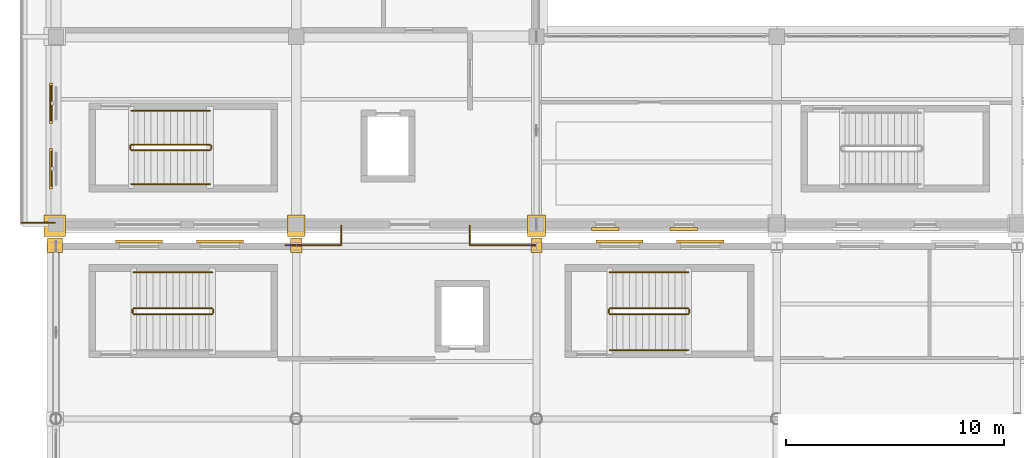
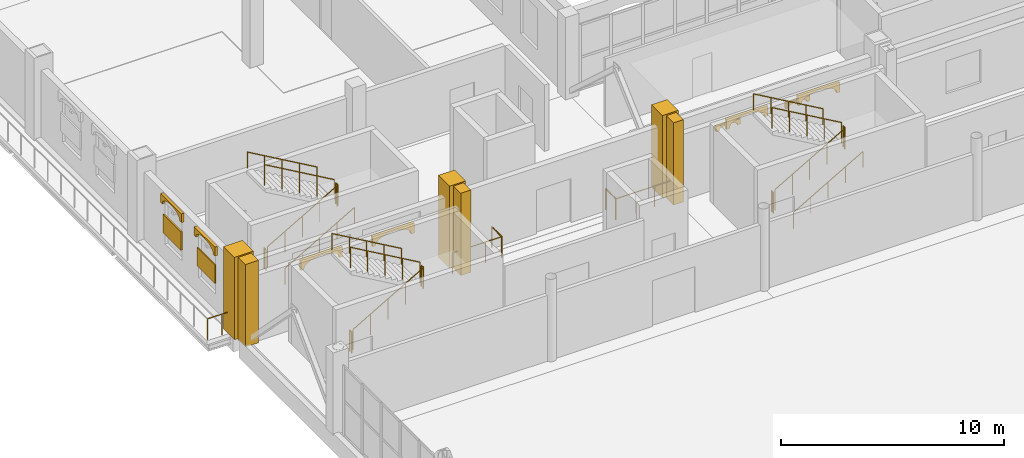
# One storey, part 136 of 156: 22 railings, 14 coverings, 2 shading devices.
"""IFC4 building model written with IfcOpenShell, lengths in metres."""

from ifc_helpers import new_model, si_unit, direction, frame, origin, origin_2d, place, context, subcontext, project, spatial, polyline, rectangle, circle, outline, extrude, material, layer, layer_set, type_object, element, save


model = new_model("IFC4")

# Units and contexts
model_context = context("Model", 3, precision=1e-05, world=origin(), true_north=direction((0.0, 1.0)))
body_context = subcontext(model_context, "Body", "Model", "MODEL_VIEW")
ifc_project = project(units=[si_unit("LENGTHUNIT", "METRE"), si_unit("AREAUNIT", "SQUARE_METRE"), si_unit("VOLUMEUNIT", "CUBIC_METRE"), si_unit("PLANEANGLEUNIT", "RADIAN"), si_unit("MASSUNIT", "GRAM", prefix="KILO")], contexts=[model_context])

# Site, building, storey
site_placement = place(None, origin())
site = spatial("IfcSite", under=ifc_project, at=site_placement, CompositionType="ELEMENT")
building_placement = place(site_placement, origin())
building = spatial("IfcBuilding", under=site, at=building_placement, Name="Caurita Quay Ferry Terminal", CompositionType="ELEMENT")
storey_placement = place(building_placement, frame((0.0, 0.0, 5.39990234375)))
storey = spatial("IfcBuildingStorey", under=building, at=storey_placement, Name="L01", CompositionType="ELEMENT", Elevation=5.39990234375)

# Coverings
ifc_material_1 = material(Name="Warm-white lime stucco masonry", Category="masonry")
ifc_layer_1 = layer(ifc_material_1, 0.179931640625, Name="Classical engaged lime-stucco facade pilaster cladding 180 mm")
ifc_layer_set_1 = layer_set([ifc_layer_1], Name="Warm-white lime stucco masonry")
covering_type_1 = type_object("IfcCoveringType", Name="COV-PIL-CLD", PredefinedType="CLADDING", material=ifc_layer_set_1)
covering_1_placement = place(storey_placement, frame((-0.050048828125, 70.64990234375, 0.0), z_axis=(0.0, 0.0, 1.0), x_axis=(1.0, 0.0, 0.0)))
element("IfcCovering", 1, at=covering_1_placement, inside=storey, type_object=covering_type_1, Name="L01 Classical Engaged Pilaster 0015", PredefinedType="CLADDING", context=body_context, shape_type="SweptSolid", body=[
    extrude(rectangle(XDim=0.673583984375, YDim=0.656005859375, at=origin_2d()), origin(), (0.0, 0.0, 1.0), 4.5),
])
for number, where, z_axis, x_axis, name in (
    (2, (11.0, 70.64990234375, 0.0), (0.0, 0.0, 1.0), (1.0, 0.0, 0.0), "L01 Classical Engaged Pilaster 0023"),
    (3, (22.0, 70.64990234375, 0.0), (0.0, 0.0, 1.0), (1.0, 0.0, 0.0), "L01 Classical Engaged Pilaster 0031"),
):
    element("IfcCovering", number, at=place(storey_placement, frame(where, z_axis=z_axis, x_axis=x_axis)), inside=storey, type_object=covering_type_1, Name=name, PredefinedType="CLADDING", context=body_context, shape_type="SweptSolid", body=[
        extrude(rectangle(XDim=0.513671875, YDim=0.656005859375, at=origin_2d()), origin(), (0.0, 0.0, 1.0), 4.5),
    ])
covering_2_placement = place(storey_placement, frame((-0.050048828125, 71.550048828125, 0.0), z_axis=(0.0, 0.0, 1.0), x_axis=(1.0, 0.0, 0.0)))
element("IfcCovering", 4, at=covering_2_placement, inside=storey, type_object=covering_type_1, Name="L01 Classical Engaged Pilaster 0267", PredefinedType="CLADDING", context=body_context, shape_type="SweptSolid", body=[
    extrude(rectangle(XDim=0.97998046875, YDim=0.97998046875, at=origin_2d()), origin(), (0.0, 0.0, 1.0), 4.5),
])
for number, where, z_axis, x_axis, name in (
    (5, (11.0, 71.550048828125, 0.0), (0.0, 0.0, 1.0), (1.0, 0.0, 0.0), "L01 Classical Engaged Pilaster 0297"),
    (6, (22.0, 71.550048828125, 0.0), (0.0, 0.0, 1.0), (1.0, 0.0, 0.0), "L01 Classical Engaged Pilaster 0307"),
):
    element("IfcCovering", number, at=place(storey_placement, frame(where, z_axis=z_axis, x_axis=x_axis)), inside=storey, type_object=covering_type_1, Name=name, PredefinedType="CLADDING", context=body_context, shape_type="SweptSolid", body=[
        extrude(rectangle(XDim=0.820068359375, YDim=0.97998046875, at=origin_2d()), origin(), (0.0, 0.0, 1.0), 4.5),
    ])
ifc_material_2 = material(Name="Coral stone ashlar cladding", Category="masonry")
ifc_layer_2 = layer(ifc_material_2, 0.139892578125, Name="Spanish Colonial semicircular arched window surround 140 mm")
ifc_layer_set_2 = layer_set([ifc_layer_2], Name="Coral stone ashlar cladding")
covering_type_2 = type_object("IfcCoveringType", Name="COV-WHD-MLD", PredefinedType="MOLDING", material=ifc_layer_set_2)
for number, where, z_axis, x_axis, name in (
    (7, (-0.22998046875, 78.080078125, 3.18017578125), (0.0, 0.0, 1.0), (0.0, -1.0, 0.0), "L01 Arched Window Surround 032"),
    (8, (-0.22998046875, 75.080078125, 3.18017578125), (0.0, 0.0, 1.0), (0.0, -1.0, 0.0), "L01 Arched Window Surround 033"),
):
    element("IfcCovering", number, at=place(storey_placement, frame(where, z_axis=z_axis, x_axis=x_axis)), inside=storey, type_object=covering_type_2, Name=name, PredefinedType="MOLDING", context=body_context, shape_type="SweptSolid", body=[
        extrude(outline(polyline([(0.0, 0.0), (0.159912109375, 0.0), (0.159912109375, 0.0400390625), (0.19775390625, 0.1513671875), (0.30712890625, 0.251708984375), (0.4775390625, 0.331298828125), (0.692138671875, 0.38232421875), (0.929931640625, 0.39990234375), (1.16796875, 0.38232421875), (1.382568359375, 0.331298828125), (1.552978515625, 0.251708984375), (1.662353515625, 0.1513671875), (1.7001953125, 0.0400390625), (1.7001953125, 0.0), (1.860107421875, 0.0), (1.860107421875, 0.47998046875), (0.0, 0.47998046875), (0.0, 0.0)])), frame((0.0, 0.06982421875, 0.0), z_axis=(0.0, -1.0, 0.0), x_axis=(1.0, 0.0, 0.0)), (0.0, 0.0, 1.0), 0.139892578125),
    ])
covering_3_placement = place(storey_placement, frame((24.52001953125, 71.385009765625, 2.43017578125), z_axis=(0.0, 0.0, 1.0), x_axis=(1.0, 0.0, 0.0)))
element("IfcCovering", 9, at=covering_3_placement, inside=storey, type_object=covering_type_2, Name="L01 Arched Window Surround 056", PredefinedType="MOLDING", context=body_context, shape_type="SweptSolid", body=[
    extrude(outline(polyline([(0.0, 0.0), (0.159912109375, 0.0), (0.159912109375, 0.0400390625), (0.18310546875, 0.091796875), (0.249755859375, 0.138671875), (0.353759765625, 0.176025390625), (0.48486328125, 0.19970703125), (0.6298828125, 0.2080078125), (0.775146484375, 0.19970703125), (0.90625, 0.176025390625), (1.01025390625, 0.138671875), (1.076904296875, 0.091796875), (1.10009765625, 0.0400390625), (1.10009765625, 0.0), (1.260009765625, 0.0), (1.260009765625, 0.287841796875), (0.0, 0.287841796875), (0.0, 0.0)])), frame((0.0, 0.06982421875, 0.0), z_axis=(0.0, -1.0, 0.0), x_axis=(1.0, 0.0, 0.0)), (0.0, 0.0, 1.0), 0.139892578125),
])
covering_4_placement = place(storey_placement, frame((28.1201171875, 71.385009765625, 2.43017578125), z_axis=(0.0, 0.0, 1.0), x_axis=(1.0, 0.0, 0.0)))
element("IfcCovering", 10, at=covering_4_placement, inside=storey, type_object=covering_type_2, Name="L01 Arched Window Surround 057", PredefinedType="MOLDING", context=body_context, shape_type="SweptSolid", body=[
    extrude(outline(polyline([(0.0, 0.0), (0.159912109375, 0.0), (0.159912109375, 0.0400390625), (0.18310546875, 0.091796875), (0.249755859375, 0.138671875), (0.353759765625, 0.176025390625), (0.484619140625, 0.19970703125), (0.6298828125, 0.2080078125), (0.775146484375, 0.19970703125), (0.906005859375, 0.176025390625), (1.010009765625, 0.138671875), (1.07666015625, 0.091796875), (1.099853515625, 0.0400390625), (1.099853515625, 0.0), (1.259765625, 0.0), (1.259765625, 0.287841796875), (0.0, 0.287841796875), (0.0, 0.0)])), frame((0.0, 0.06982421875, 0.0), z_axis=(0.0, -1.0, 0.0), x_axis=(1.0, 0.0, 0.0)), (0.0, 0.0, 1.0), 0.139892578125),
])
for number, where, z_axis, x_axis, name in (
    (11, (8.579833984375, 70.81494140625, 2.830078125), (0.0, 0.0, 1.0), (-1.0, 0.0, 0.0), "L01 Arched Window Surround 141"),
    (12, (4.8798828125, 70.81494140625, 2.830078125), (0.0, 0.0, 1.0), (-1.0, 0.0, 0.0), "L01 Arched Window Surround 142"),
    (13, (30.579833984375, 70.81494140625, 2.830078125), (0.0, 0.0, 1.0), (-1.0, 0.0, 0.0), "L01 Arched Window Surround 143"),
    (14, (26.8798828125, 70.81494140625, 2.830078125), (0.0, 0.0, 1.0), (-1.0, 0.0, 0.0), "L01 Arched Window Surround 144"),
):
    element("IfcCovering", number, at=place(storey_placement, frame(where, z_axis=z_axis, x_axis=x_axis)), inside=storey, type_object=covering_type_2, Name=name, PredefinedType="MOLDING", context=body_context, shape_type="SweptSolid", body=[
        extrude(outline(polyline([(0.0, 0.0), (0.159912109375, 0.0), (0.159912109375, 0.0400390625), (0.205078125, 0.1728515625), (0.335693359375, 0.292724609375), (0.539306640625, 0.387939453125), (0.795654296875, 0.448974609375), (1.080078125, 0.469970703125), (1.3642578125, 0.448974609375), (1.62060546875, 0.387939453125), (1.82421875, 0.292724609375), (1.954833984375, 0.1728515625), (2.0, 0.0400390625), (2.0, 0.0), (2.159912109375, 0.0), (2.159912109375, 0.550048828125), (0.0, 0.550048828125), (0.0, 0.0)])), frame((0.0, 0.06982421875, 0.0), z_axis=(0.0, -1.0, 0.0), x_axis=(1.0, 0.0, 0.0)), (0.0, 0.0, 1.0), 0.139892578125),
    ])

# Railings
ifc_material_3 = material(Name="Bronze architectural metalwork", Category="metal")
railing_type_1 = type_object("IfcRailingType", Name="RL-HND-090", PredefinedType="HANDRAIL", material=ifc_material_3)
railing_1_placement = place(storey_placement, frame((3.449951171875, 73.449951171875, 0.173095703125)))
element("IfcRailing", 15, at=railing_1_placement, inside=storey, type_object=railing_type_1, Name="L01 ST-02 stair handrail 1", PredefinedType="HANDRAIL", context=body_context, shape_type="SweptSolid", body=[
    extrude(circle(Radius=0.02392578125, at=origin_2d()), frame((0.0, 0.0, 0.8759765625), z_axis=(0.866193409371, 0.0, 0.499708892819), x_axis=(0.0, 1.0, 0.0)), (0.0, 0.0, 1.0), 4.15625),
    extrude(circle(Radius=0.02099609375, at=origin_2d()), origin(), (0.0, 0.0, 1.0), 0.851806640625),
    extrude(circle(Radius=0.02099609375, at=origin_2d()), frame((0.89990234375, 0.0, 0.519287109375)), (0.0, 0.0, 1.0), 0.851806640625),
    extrude(circle(Radius=0.02099609375, at=origin_2d()), frame((1.800048828125, 0.0, 1.03857421875)), (0.0, 0.0, 1.0), 0.851806640625),
    extrude(circle(Radius=0.02099609375, at=origin_2d()), frame((2.7001953125, 0.0, 1.5576171875)), (0.0, 0.0, 1.0), 0.851806640625),
    extrude(circle(Radius=0.02099609375, at=origin_2d()), frame((3.60009765625, 0.0, 2.076904296875)), (0.0, 0.0, 1.0), 0.851806640625),
])
railing_2_placement = place(storey_placement, frame((7.050048828125, 76.81005859375, 2.423095703125)))
element("IfcRailing", 16, at=railing_2_placement, inside=storey, type_object=railing_type_1, Name="L01 ST-02 stair handrail 2", PredefinedType="HANDRAIL", context=body_context, shape_type="SweptSolid", body=[
    extrude(circle(Radius=0.02392578125, at=origin_2d()), frame((0.0, 0.0, 0.8759765625), z_axis=(-0.866193409371, 0.0, 0.499708892819), x_axis=(0.0, -1.0, 0.0)), (0.0, 0.0, 1.0), 4.15625),
    extrude(circle(Radius=0.02099609375, at=origin_2d()), origin(), (0.0, 0.0, 1.0), 0.851806640625),
    extrude(circle(Radius=0.02099609375, at=origin_2d()), frame((-0.89990234375, 0.0, 0.519287109375)), (0.0, 0.0, 1.0), 0.851806640625),
    extrude(circle(Radius=0.02099609375, at=origin_2d()), frame((-1.800048828125, 0.0, 1.03857421875)), (0.0, 0.0, 1.0), 0.851806640625),
    extrude(circle(Radius=0.02099609375, at=origin_2d()), frame((-2.7001953125, 0.0, 1.5576171875)), (0.0, 0.0, 1.0), 0.851806640625),
    extrude(circle(Radius=0.02099609375, at=origin_2d()), frame((-3.60009765625, 0.0, 2.076904296875)), (0.0, 0.0, 1.0), 0.851806640625),
])
railing_3_placement = place(storey_placement, frame((7.14990234375, 69.409912109375, 2.423095703125)))
element("IfcRailing", 17, at=railing_3_placement, inside=storey, type_object=railing_type_1, Name="L01 ST-05 stair handrail 2", PredefinedType="HANDRAIL", context=body_context, shape_type="SweptSolid", body=[
    extrude(circle(Radius=0.02392578125, at=origin_2d()), frame((0.0, 0.0, 0.8759765625), z_axis=(-0.866178740119, 0.0, 0.499734319579), x_axis=(0.0, -1.0, 0.0)), (0.0, 0.0, 1.0), 4.156005859375),
    extrude(circle(Radius=0.02099609375, at=origin_2d()), origin(), (0.0, 0.0, 1.0), 0.851806640625),
    extrude(circle(Radius=0.02099609375, at=origin_2d()), frame((-0.89990234375, 0.0, 0.519287109375)), (0.0, 0.0, 1.0), 0.851806640625),
    extrude(circle(Radius=0.02099609375, at=origin_2d()), frame((-1.7998046875, 0.0, 1.03857421875)), (0.0, 0.0, 1.0), 0.851806640625),
    extrude(circle(Radius=0.02099609375, at=origin_2d()), frame((-2.699951171875, 0.0, 1.5576171875)), (0.0, 0.0, 1.0), 0.851806640625),
    extrude(circle(Radius=0.02099609375, at=origin_2d()), frame((-3.599853515625, 0.0, 2.076904296875)), (0.0, 0.0, 1.0), 0.851806640625),
])
railing_4_placement = place(storey_placement, frame((25.35009765625, 65.85009765625, 0.173095703125)))
element("IfcRailing", 18, at=railing_4_placement, inside=storey, type_object=railing_type_1, Name="L01 ST-06 stair handrail 1", PredefinedType="HANDRAIL", context=body_context, shape_type="SweptSolid", body=[
    extrude(circle(Radius=0.02392578125, at=origin_2d()), frame((0.0, 0.0, 0.8759765625), z_axis=(0.866178740119, 0.0, 0.499734319579), x_axis=(0.0, 1.0, 0.0)), (0.0, 0.0, 1.0), 4.156005859375),
    extrude(circle(Radius=0.02099609375, at=origin_2d()), origin(), (0.0, 0.0, 1.0), 0.851806640625),
    extrude(circle(Radius=0.02099609375, at=origin_2d()), frame((0.89990234375, 0.0, 0.519287109375)), (0.0, 0.0, 1.0), 0.851806640625),
    extrude(circle(Radius=0.02099609375, at=origin_2d()), frame((1.7998046875, 0.0, 1.03857421875)), (0.0, 0.0, 1.0), 0.851806640625),
    extrude(circle(Radius=0.02099609375, at=origin_2d()), frame((2.699951171875, 0.0, 1.5576171875)), (0.0, 0.0, 1.0), 0.851806640625),
    extrude(circle(Radius=0.02099609375, at=origin_2d()), frame((3.599853515625, 0.0, 2.076904296875)), (0.0, 0.0, 1.0), 0.851806640625),
])
railing_5_placement = place(storey_placement, frame((28.949951171875, 69.409912109375, 2.423095703125)))
element("IfcRailing", 19, at=railing_5_placement, inside=storey, type_object=railing_type_1, Name="L01 ST-06 stair handrail 2", PredefinedType="HANDRAIL", context=body_context, shape_type="SweptSolid", body=[
    extrude(circle(Radius=0.02392578125, at=origin_2d()), frame((0.0, 0.0, 0.8759765625), z_axis=(-0.866178740119, 0.0, 0.499734319579), x_axis=(0.0, -1.0, 0.0)), (0.0, 0.0, 1.0), 4.156005859375),
    extrude(circle(Radius=0.02099609375, at=origin_2d()), origin(), (0.0, 0.0, 1.0), 0.851806640625),
    extrude(circle(Radius=0.02099609375, at=origin_2d()), frame((-0.89990234375, 0.0, 0.519287109375)), (0.0, 0.0, 1.0), 0.851806640625),
    extrude(circle(Radius=0.02099609375, at=origin_2d()), frame((-1.7998046875, 0.0, 1.03857421875)), (0.0, 0.0, 1.0), 0.851806640625),
    extrude(circle(Radius=0.02099609375, at=origin_2d()), frame((-2.699951171875, 0.0, 1.5576171875)), (0.0, 0.0, 1.0), 0.851806640625),
    extrude(circle(Radius=0.02099609375, at=origin_2d()), frame((-3.599853515625, 0.0, 2.076904296875)), (0.0, 0.0, 1.0), 0.851806640625),
])
railing_type_2 = type_object("IfcRailingType", Name="RL-REJA-115", PredefinedType="BALUSTRADE", material=ifc_material_3)
railing_6_placement = place(storey_placement, frame((10.5, 70.64990234375, 0.0)))
element("IfcRailing", 20, at=railing_6_placement, inside=storey, type_object=railing_type_2, Name="L01 North West Link Bridge West Guard (041)", PredefinedType="BALUSTRADE", context=body_context, shape_type="SweptSolid", body=[
    extrude(circle(Radius=0.02392578125, at=origin_2d()), frame((0.0, 0.0, 1.1259765625), z_axis=(1.0, 0.0, 0.0), x_axis=(0.0, 1.0, 0.0)), (0.0, 0.0, 1.0), 2.550048828125),
    extrude(circle(Radius=0.02099609375, at=origin_2d()), origin(), (0.0, 0.0, 1.0), 1.101806640625),
    extrude(circle(Radius=0.02099609375, at=origin_2d()), frame((0.85009765625, 0.0, 0.0)), (0.0, 0.0, 1.0), 1.101806640625),
    extrude(circle(Radius=0.02099609375, at=origin_2d()), frame((1.699951171875, 0.0, 0.0)), (0.0, 0.0, 1.0), 1.101806640625),
    extrude(circle(Radius=0.02099609375, at=origin_2d()), frame((2.550048828125, 0.0, 0.0)), (0.0, 0.0, 1.0), 1.101806640625),
])
railing_7_placement = place(storey_placement, frame((13.050048828125, 70.64990234375, 0.0)))
element("IfcRailing", 21, at=railing_7_placement, inside=storey, type_object=railing_type_2, Name="L01 North West Link Bridge West Guard (042)", PredefinedType="BALUSTRADE", context=body_context, shape_type="SweptSolid", body=[
    extrude(circle(Radius=0.02392578125, at=origin_2d()), frame((0.0, 0.0, 1.1259765625), z_axis=(0.0, 1.0, 0.0), x_axis=(-1.0, 0.0, 0.0)), (0.0, 0.0, 1.0), 0.900146484375),
    extrude(circle(Radius=0.02099609375, at=origin_2d()), origin(), (0.0, 0.0, 1.0), 1.101806640625),
    extrude(circle(Radius=0.02099609375, at=origin_2d()), frame((0.0, 0.900146484375, 0.0)), (0.0, 0.0, 1.0), 1.101806640625),
])
railing_8_placement = place(storey_placement, frame((18.949951171875, 71.550048828125, 0.0)))
element("IfcRailing", 22, at=railing_8_placement, inside=storey, type_object=railing_type_2, Name="L01 North West Link Bridge East Guard (043)", PredefinedType="BALUSTRADE", context=body_context, shape_type="SweptSolid", body=[
    extrude(circle(Radius=0.02392578125, at=origin_2d()), frame((0.0, 0.0, 1.1259765625), z_axis=(0.0, -1.0, 0.0), x_axis=(1.0, 0.0, 0.0)), (0.0, 0.0, 1.0), 0.900146484375),
    extrude(circle(Radius=0.02099609375, at=origin_2d()), origin(), (0.0, 0.0, 1.0), 1.101806640625),
    extrude(circle(Radius=0.02099609375, at=origin_2d()), frame((0.0, -0.900146484375, 0.0)), (0.0, 0.0, 1.0), 1.101806640625),
])
railing_9_placement = place(storey_placement, frame((18.949951171875, 70.64990234375, 0.0)))
element("IfcRailing", 23, at=railing_9_placement, inside=storey, type_object=railing_type_2, Name="L01 North West Link Bridge East Guard (044)", PredefinedType="BALUSTRADE", context=body_context, shape_type="SweptSolid", body=[
    extrude(circle(Radius=0.02392578125, at=origin_2d()), frame((0.0, 0.0, 1.1259765625), z_axis=(1.0, 0.0, 0.0), x_axis=(0.0, 1.0, 0.0)), (0.0, 0.0, 1.0), 3.0),
    extrude(circle(Radius=0.02099609375, at=origin_2d()), origin(), (0.0, 0.0, 1.0), 1.101806640625),
    extrude(circle(Radius=0.02099609375, at=origin_2d()), frame((1.0, 0.0, 0.0)), (0.0, 0.0, 1.0), 1.101806640625),
    extrude(circle(Radius=0.02099609375, at=origin_2d()), frame((2.0, 0.0, 0.0)), (0.0, 0.0, 1.0), 1.101806640625),
    extrude(circle(Radius=0.02099609375, at=origin_2d()), frame((3.0, 0.0, 0.0)), (0.0, 0.0, 1.0), 1.101806640625),
])
railing_10_placement = place(storey_placement, frame((-0.050048828125, 71.679931640625, 0.0)))
element("IfcRailing", 24, at=railing_10_placement, inside=storey, type_object=railing_type_2, Name="L01 West Quay Portales Balcony Balustrade (119)", PredefinedType="BALUSTRADE", context=body_context, shape_type="SweptSolid", body=[
    extrude(circle(Radius=0.02392578125, at=origin_2d()), frame((0.0, 0.0, 1.1259765625), z_axis=(-1.0, 0.0, 0.0), x_axis=(0.0, -1.0, 0.0)), (0.0, 0.0, 1.0), 1.530029296875),
    extrude(circle(Radius=0.02099609375, at=origin_2d()), origin(), (0.0, 0.0, 1.0), 1.101806640625),
    extrude(circle(Radius=0.02099609375, at=origin_2d()), frame((-0.76513671875, 0.0, 0.0)), (0.0, 0.0, 1.0), 1.101806640625),
    extrude(circle(Radius=0.02099609375, at=origin_2d()), frame((-1.530029296875, 0.0, 0.0)), (0.0, 0.0, 1.0), 1.101806640625),
])
railing_11_placement = place(storey_placement, frame((3.449951171875, 75.0, 0.173095703125)))
element("IfcRailing", 25, at=railing_11_placement, inside=storey, type_object=railing_type_2, Name="L01 ST-02 stair guard 1", PredefinedType="BALUSTRADE", context=body_context, shape_type="SweptSolid", body=[
    extrude(circle(Radius=0.02392578125, at=origin_2d()), frame((0.0, 0.0, 1.1259765625), z_axis=(0.866193409371, 0.0, 0.499708892819), x_axis=(0.0, 1.0, 0.0)), (0.0, 0.0, 1.0), 4.15625),
    extrude(circle(Radius=0.02099609375, at=origin_2d()), origin(), (0.0, 0.0, 1.0), 1.101806640625),
    extrude(circle(Radius=0.02099609375, at=origin_2d()), frame((0.89990234375, 0.0, 0.519287109375)), (0.0, 0.0, 1.0), 1.101806640625),
    extrude(circle(Radius=0.02099609375, at=origin_2d()), frame((1.800048828125, 0.0, 1.03857421875)), (0.0, 0.0, 1.0), 1.101806640625),
    extrude(circle(Radius=0.02099609375, at=origin_2d()), frame((2.7001953125, 0.0, 1.5576171875)), (0.0, 0.0, 1.0), 1.101806640625),
    extrude(circle(Radius=0.02099609375, at=origin_2d()), frame((3.60009765625, 0.0, 2.076904296875)), (0.0, 0.0, 1.0), 1.101806640625),
])
railing_12_placement = place(storey_placement, frame((7.10009765625, 75.050048828125, 2.25)))
element("IfcRailing", 26, at=railing_12_placement, inside=storey, type_object=railing_type_2, Name="L01 ST-02 stair guard 2", PredefinedType="BALUSTRADE", context=body_context, shape_type="SweptSolid", body=[
    extrude(circle(Radius=0.02392578125, at=origin_2d()), frame((0.0, 0.0, 1.1259765625), z_axis=(0.0, 1.0, 0.0), x_axis=(-1.0, 0.0, 0.0)), (0.0, 0.0, 1.0), 0.159912109375),
    extrude(circle(Radius=0.02099609375, at=origin_2d()), origin(), (0.0, 0.0, 1.0), 1.101806640625),
    extrude(circle(Radius=0.02099609375, at=origin_2d()), frame((0.0, 0.159912109375, 0.0)), (0.0, 0.0, 1.0), 1.101806640625),
])
railing_13_placement = place(storey_placement, frame((7.050048828125, 75.260009765625, 2.423095703125)))
element("IfcRailing", 27, at=railing_13_placement, inside=storey, type_object=railing_type_2, Name="L01 ST-02 stair guard 3", PredefinedType="BALUSTRADE", context=body_context, shape_type="SweptSolid", body=[
    extrude(circle(Radius=0.02392578125, at=origin_2d()), frame((0.0, 0.0, 1.1259765625), z_axis=(-0.866193409371, 0.0, 0.499708892819), x_axis=(0.0, -1.0, 0.0)), (0.0, 0.0, 1.0), 4.15625),
    extrude(circle(Radius=0.02099609375, at=origin_2d()), origin(), (0.0, 0.0, 1.0), 1.101806640625),
    extrude(circle(Radius=0.02099609375, at=origin_2d()), frame((-0.89990234375, 0.0, 0.519287109375)), (0.0, 0.0, 1.0), 1.101806640625),
    extrude(circle(Radius=0.02099609375, at=origin_2d()), frame((-1.800048828125, 0.0, 1.03857421875)), (0.0, 0.0, 1.0), 1.101806640625),
    extrude(circle(Radius=0.02099609375, at=origin_2d()), frame((-2.7001953125, 0.0, 1.5576171875)), (0.0, 0.0, 1.0), 1.101806640625),
    extrude(circle(Radius=0.02099609375, at=origin_2d()), frame((-3.60009765625, 0.0, 2.076904296875)), (0.0, 0.0, 1.0), 1.101806640625),
])
railing_14_placement = place(storey_placement, frame((3.39990234375, 75.050048828125, 0.0)))
element("IfcRailing", 28, at=railing_14_placement, inside=storey, type_object=railing_type_2, Name="L01 ST-02 stair guard 4", PredefinedType="BALUSTRADE", context=body_context, shape_type="SweptSolid", body=[
    extrude(circle(Radius=0.02392578125, at=origin_2d()), frame((0.0, 0.0, 1.1259765625), z_axis=(0.0, 1.0, 0.0), x_axis=(-1.0, 0.0, 0.0)), (0.0, 0.0, 1.0), 0.159912109375),
    extrude(circle(Radius=0.02099609375, at=origin_2d()), origin(), (0.0, 0.0, 1.0), 1.101806640625),
    extrude(circle(Radius=0.02099609375, at=origin_2d()), frame((0.0, 0.159912109375, 0.0)), (0.0, 0.0, 1.0), 1.101806640625),
])
railing_15_placement = place(storey_placement, frame((3.550048828125, 67.5, 0.173095703125)))
element("IfcRailing", 29, at=railing_15_placement, inside=storey, type_object=railing_type_2, Name="L01 ST-05 stair guard 1", PredefinedType="BALUSTRADE", context=body_context, shape_type="SweptSolid", body=[
    extrude(circle(Radius=0.02392578125, at=origin_2d()), frame((0.0, 0.0, 1.1259765625), z_axis=(0.866178740119, 0.0, 0.499734319579), x_axis=(0.0, 1.0, 0.0)), (0.0, 0.0, 1.0), 4.156005859375),
    extrude(circle(Radius=0.02099609375, at=origin_2d()), origin(), (0.0, 0.0, 1.0), 1.101806640625),
    extrude(circle(Radius=0.02099609375, at=origin_2d()), frame((0.89990234375, 0.0, 0.519287109375)), (0.0, 0.0, 1.0), 1.101806640625),
    extrude(circle(Radius=0.02099609375, at=origin_2d()), frame((1.7998046875, 0.0, 1.03857421875)), (0.0, 0.0, 1.0), 1.101806640625),
    extrude(circle(Radius=0.02099609375, at=origin_2d()), frame((2.699951171875, 0.0, 1.5576171875)), (0.0, 0.0, 1.0), 1.101806640625),
    extrude(circle(Radius=0.02099609375, at=origin_2d()), frame((3.599853515625, 0.0, 2.076904296875)), (0.0, 0.0, 1.0), 1.101806640625),
])
railing_16_placement = place(storey_placement, frame((7.199951171875, 67.550048828125, 2.25)))
element("IfcRailing", 30, at=railing_16_placement, inside=storey, type_object=railing_type_2, Name="L01 ST-05 stair guard 2", PredefinedType="BALUSTRADE", context=body_context, shape_type="SweptSolid", body=[
    extrude(circle(Radius=0.02392578125, at=origin_2d()), frame((0.0, 0.0, 1.1259765625), z_axis=(0.0, 1.0, 0.0), x_axis=(-1.0, 0.0, 0.0)), (0.0, 0.0, 1.0), 0.159912109375),
    extrude(circle(Radius=0.02099609375, at=origin_2d()), origin(), (0.0, 0.0, 1.0), 1.101806640625),
    extrude(circle(Radius=0.02099609375, at=origin_2d()), frame((0.0, 0.159912109375, 0.0)), (0.0, 0.0, 1.0), 1.101806640625),
])
railing_17_placement = place(storey_placement, frame((7.14990234375, 67.760009765625, 2.423095703125)))
element("IfcRailing", 31, at=railing_17_placement, inside=storey, type_object=railing_type_2, Name="L01 ST-05 stair guard 3", PredefinedType="BALUSTRADE", context=body_context, shape_type="SweptSolid", body=[
    extrude(circle(Radius=0.02392578125, at=origin_2d()), frame((0.0, 0.0, 1.1259765625), z_axis=(-0.866178740119, 0.0, 0.499734319579), x_axis=(0.0, -1.0, 0.0)), (0.0, 0.0, 1.0), 4.156005859375),
    extrude(circle(Radius=0.02099609375, at=origin_2d()), origin(), (0.0, 0.0, 1.0), 1.101806640625),
    extrude(circle(Radius=0.02099609375, at=origin_2d()), frame((-0.89990234375, 0.0, 0.519287109375)), (0.0, 0.0, 1.0), 1.101806640625),
    extrude(circle(Radius=0.02099609375, at=origin_2d()), frame((-1.7998046875, 0.0, 1.03857421875)), (0.0, 0.0, 1.0), 1.101806640625),
    extrude(circle(Radius=0.02099609375, at=origin_2d()), frame((-2.699951171875, 0.0, 1.5576171875)), (0.0, 0.0, 1.0), 1.101806640625),
    extrude(circle(Radius=0.02099609375, at=origin_2d()), frame((-3.599853515625, 0.0, 2.076904296875)), (0.0, 0.0, 1.0), 1.101806640625),
])
railing_18_placement = place(storey_placement, frame((3.5, 67.550048828125, 0.0)))
element("IfcRailing", 32, at=railing_18_placement, inside=storey, type_object=railing_type_2, Name="L01 ST-05 stair guard 4", PredefinedType="BALUSTRADE", context=body_context, shape_type="SweptSolid", body=[
    extrude(circle(Radius=0.02392578125, at=origin_2d()), frame((0.0, 0.0, 1.1259765625), z_axis=(0.0, 1.0, 0.0), x_axis=(-1.0, 0.0, 0.0)), (0.0, 0.0, 1.0), 0.159912109375),
    extrude(circle(Radius=0.02099609375, at=origin_2d()), origin(), (0.0, 0.0, 1.0), 1.101806640625),
    extrude(circle(Radius=0.02099609375, at=origin_2d()), frame((0.0, 0.159912109375, 0.0)), (0.0, 0.0, 1.0), 1.101806640625),
])
railing_19_placement = place(storey_placement, frame((25.35009765625, 67.5, 0.173095703125)))
element("IfcRailing", 33, at=railing_19_placement, inside=storey, type_object=railing_type_2, Name="L01 ST-06 stair guard 1", PredefinedType="BALUSTRADE", context=body_context, shape_type="SweptSolid", body=[
    extrude(circle(Radius=0.02392578125, at=origin_2d()), frame((0.0, 0.0, 1.1259765625), z_axis=(0.866178740119, 0.0, 0.499734319579), x_axis=(0.0, 1.0, 0.0)), (0.0, 0.0, 1.0), 4.156005859375),
    extrude(circle(Radius=0.02099609375, at=origin_2d()), origin(), (0.0, 0.0, 1.0), 1.101806640625),
    extrude(circle(Radius=0.02099609375, at=origin_2d()), frame((0.89990234375, 0.0, 0.519287109375)), (0.0, 0.0, 1.0), 1.101806640625),
    extrude(circle(Radius=0.02099609375, at=origin_2d()), frame((1.7998046875, 0.0, 1.03857421875)), (0.0, 0.0, 1.0), 1.101806640625),
    extrude(circle(Radius=0.02099609375, at=origin_2d()), frame((2.699951171875, 0.0, 1.5576171875)), (0.0, 0.0, 1.0), 1.101806640625),
    extrude(circle(Radius=0.02099609375, at=origin_2d()), frame((3.599853515625, 0.0, 2.076904296875)), (0.0, 0.0, 1.0), 1.101806640625),
])
railing_20_placement = place(storey_placement, frame((29.0, 67.550048828125, 2.25)))
element("IfcRailing", 34, at=railing_20_placement, inside=storey, type_object=railing_type_2, Name="L01 ST-06 stair guard 2", PredefinedType="BALUSTRADE", context=body_context, shape_type="SweptSolid", body=[
    extrude(circle(Radius=0.02392578125, at=origin_2d()), frame((0.0, 0.0, 1.1259765625), z_axis=(0.0, 1.0, 0.0), x_axis=(-1.0, 0.0, 0.0)), (0.0, 0.0, 1.0), 0.159912109375),
    extrude(circle(Radius=0.02099609375, at=origin_2d()), origin(), (0.0, 0.0, 1.0), 1.101806640625),
    extrude(circle(Radius=0.02099609375, at=origin_2d()), frame((0.0, 0.159912109375, 0.0)), (0.0, 0.0, 1.0), 1.101806640625),
])
railing_21_placement = place(storey_placement, frame((28.949951171875, 67.760009765625, 2.423095703125)))
element("IfcRailing", 35, at=railing_21_placement, inside=storey, type_object=railing_type_2, Name="L01 ST-06 stair guard 3", PredefinedType="BALUSTRADE", context=body_context, shape_type="SweptSolid", body=[
    extrude(circle(Radius=0.02392578125, at=origin_2d()), frame((0.0, 0.0, 1.1259765625), z_axis=(-0.866178740119, 0.0, 0.499734319579), x_axis=(0.0, -1.0, 0.0)), (0.0, 0.0, 1.0), 4.156005859375),
    extrude(circle(Radius=0.02099609375, at=origin_2d()), origin(), (0.0, 0.0, 1.0), 1.101806640625),
    extrude(circle(Radius=0.02099609375, at=origin_2d()), frame((-0.89990234375, 0.0, 0.519287109375)), (0.0, 0.0, 1.0), 1.101806640625),
    extrude(circle(Radius=0.02099609375, at=origin_2d()), frame((-1.7998046875, 0.0, 1.03857421875)), (0.0, 0.0, 1.0), 1.101806640625),
    extrude(circle(Radius=0.02099609375, at=origin_2d()), frame((-2.699951171875, 0.0, 1.5576171875)), (0.0, 0.0, 1.0), 1.101806640625),
    extrude(circle(Radius=0.02099609375, at=origin_2d()), frame((-3.599853515625, 0.0, 2.076904296875)), (0.0, 0.0, 1.0), 1.101806640625),
])
railing_22_placement = place(storey_placement, frame((25.300048828125, 67.550048828125, 0.0)))
element("IfcRailing", 36, at=railing_22_placement, inside=storey, type_object=railing_type_2, Name="L01 ST-06 stair guard 4", PredefinedType="BALUSTRADE", context=body_context, shape_type="SweptSolid", body=[
    extrude(circle(Radius=0.02392578125, at=origin_2d()), frame((0.0, 0.0, 1.1259765625), z_axis=(0.0, 1.0, 0.0), x_axis=(-1.0, 0.0, 0.0)), (0.0, 0.0, 1.0), 0.159912109375),
    extrude(circle(Radius=0.02099609375, at=origin_2d()), origin(), (0.0, 0.0, 1.0), 1.101806640625),
    extrude(circle(Radius=0.02099609375, at=origin_2d()), frame((0.0, 0.159912109375, 0.0)), (0.0, 0.0, 1.0), 1.101806640625),
])

# Shading devices
shading_device_type_1 = type_object("IfcShadingDeviceType", Name="SHD-JAL-01", PredefinedType="JALOUSIE", material=ifc_material_3)
shading_device_1_placement = place(storey_placement, frame((-0.2080078125, 77.14990234375, 1.56884765625), z_axis=(0.0, 0.0, 1.0), x_axis=(0.0, -1.0, 0.0)))
element("IfcShadingDevice", 37, at=shading_device_1_placement, inside=storey, type_object=shading_device_type_1, Name="L01 Tropical Window Sun-Breaker 035", PredefinedType="JALOUSIE", context=body_context, shape_type="SweptSolid", body=[
    extrude(rectangle(XDim=1.60009765625, YDim=0.080078125, at=origin_2d()), origin(), (0.0, 0.0, 1.0), 1.012451171875),
])
ifc_material_4 = material(Name="Tropical mahogany hardwood", Category="wood")
shading_device_type_2 = type_object("IfcShadingDeviceType", Name="SHD-SHT-01", PredefinedType="SHUTTER", material=ifc_material_4)
shading_device_2_placement = place(storey_placement, frame((-0.197998046875, 74.14990234375, 1.56884765625), z_axis=(0.0, 0.0, 1.0), x_axis=(0.0, -1.0, 0.0)))
element("IfcShadingDevice", 38, at=shading_device_2_placement, inside=storey, type_object=shading_device_type_2, Name="L01 Tropical Window Sun-Breaker 036", PredefinedType="SHUTTER", context=body_context, shape_type="SweptSolid", body=[
    extrude(rectangle(XDim=1.60009765625, YDim=0.06005859375, at=origin_2d()), origin(), (0.0, 0.0, 1.0), 1.012451171875),
])

save(model, "model.ifc")
